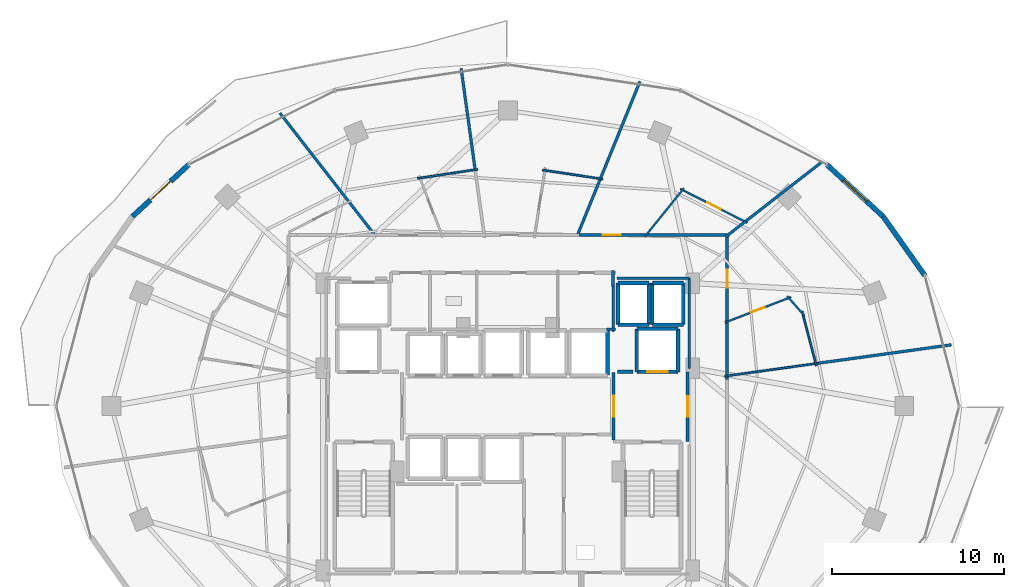
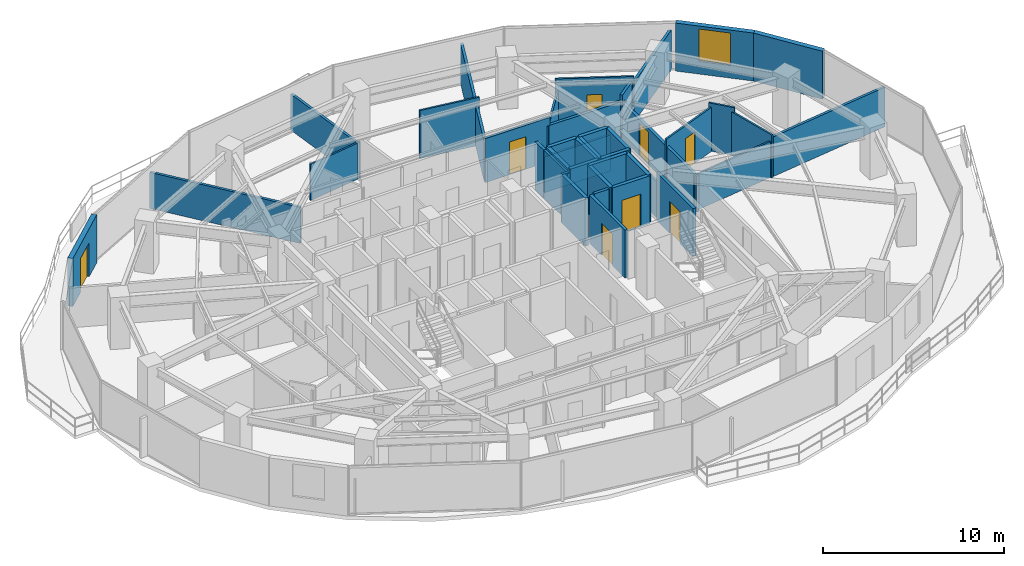
# One storey, part 25 of 30: 42 walls, 8 doors, 1 window, 9 openings.
"""IFC4 building model written with IfcOpenShell, lengths in metres."""

from ifc_helpers import new_model, si_unit, direction, frame, frame_2d, origin, place, context, subcontext, project, spatial, rectangle, extrude, material, layer, layer_set, type_object, element, fill, save


model = new_model("IFC4")

# Units and contexts
model_context = context("Model", 3, precision=1e-05, world=origin(), true_north=direction((0.0, 1.0)))
body_context = subcontext(model_context, "Body", "Model", "MODEL_VIEW")
ifc_project = project(units=[si_unit("LENGTHUNIT", "METRE"), si_unit("AREAUNIT", "SQUARE_METRE"), si_unit("VOLUMEUNIT", "CUBIC_METRE"), si_unit("PLANEANGLEUNIT", "RADIAN"), si_unit("MASSUNIT", "GRAM", prefix="KILO")], contexts=[model_context])

# Site, building, storey
site_placement = place(None, origin())
site = spatial("IfcSite", under=ifc_project, at=site_placement, CompositionType="ELEMENT")
building_placement = place(site_placement, origin())
building = spatial("IfcBuilding", under=site, at=building_placement, Name="Vorneva Point Tower", CompositionType="ELEMENT")
storey_placement = place(building_placement, frame((0.0, 0.0, 89.300048828125)))
storey = spatial("IfcBuildingStorey", under=building, at=storey_placement, Name="L23", CompositionType="ELEMENT", Elevation=89.300048828125)

# Wall, opening, door
ifc_material_1 = material(Name="Concrete B60 (C50/60)", Category="concrete")
ifc_layer_1 = layer(ifc_material_1, 0.5)
ifc_layer_set_1 = layer_set([ifc_layer_1], Name="Concrete B60 (C50/60)")
wall_type_1 = type_object("IfcWallType", Name="WL-CORE-500", PredefinedType="SHEAR", material=ifc_layer_set_1)
wall_1_placement = place(storey_placement, frame((45.5, 28.0, 0.0), z_axis=(0.0, 0.0, 1.0), x_axis=(1.0, 0.0, 0.0)))
wall_1 = element("IfcWall", 1, at=wall_1_placement, inside=storey, type_object=wall_type_1, Name="L23 Lift FFL2 Shaft Wall -Y", PredefinedType="SHEAR", context=body_context, shape_type="SweptSolid", body=[
    extrude(rectangle(XDim=2.39990234375, YDim=0.219970703125, at=frame_2d((1.199951171875, 0.0))), origin(), (0.0, 0.0, 1.0), 3.239990234375),
])
opening_1_placement = place(wall_1_placement, frame((0.60009765625, 0.0, 0.0)))
opening_1 = element("IfcOpeningElement", 2, at=opening_1_placement, cuts=wall_1, Name="Opening LD-02", PredefinedType="OPENING", context=body_context, shape_type="SweptSolid", body=[
    extrude(rectangle(XDim=1.199951171875, YDim=2.199951171875, at=frame_2d((0.60009765625, 1.10009765625))), frame((0.0, 0.125, 0.0), z_axis=(0.0, -1.0, 0.0), x_axis=(1.0, 0.0, 0.0)), (0.0, 0.0, 1.0), 0.249755859375),
])
ifc_material_2 = material(Name="Brushed stainless steel S304", Category="steel")
door_type_1 = type_object("IfcDoorType", Name="LD-FIRE-1200", OperationType="SLIDING_TO_LEFT", PredefinedType="DOOR", material=ifc_material_2)
door_1_placement = place(opening_1_placement, origin())
door_1 = element("IfcDoor", 3, at=door_1_placement, inside=storey, type_object=door_type_1, Name="L23 Lift FFL2 Sliding Landing Door", OperationType="SLIDING_TO_LEFT", OverallHeight=2.199951171875, OverallWidth=1.199951171875, PredefinedType="DOOR", context=body_context, shape_type="SweptSolid", body=[
    extrude(rectangle(XDim=1.199951171875, YDim=2.199951171875, at=frame_2d((0.60009765625, 1.10009765625))), frame((0.0, 0.02490234375, 0.0), z_axis=(0.0, -1.0, 0.0), x_axis=(1.0, 0.0, 0.0)), (0.0, 0.0, 1.0), 0.050048828125),
])
fill(opening_1, door_1)

# Walls
wall_2_placement = place(storey_placement, frame((47.89990234375, 28.0, 0.0), z_axis=(0.0, 0.0, 1.0), x_axis=(0.0, 1.0, 0.0)))
element("IfcWall", 4, at=wall_2_placement, inside=storey, type_object=wall_type_1, Name="L23 Lift FFL2 Shaft Wall +X", PredefinedType="SHEAR", context=body_context, shape_type="SweptSolid", body=[
    extrude(rectangle(XDim=2.5, YDim=0.219970703125, at=frame_2d((1.25, 0.0))), origin(), (0.0, 0.0, 1.0), 3.239990234375),
])
wall_3_placement = place(storey_placement, frame((47.89990234375, 30.5, 0.0), z_axis=(0.0, 0.0, 1.0), x_axis=(-1.0, 0.0, 0.0)))
element("IfcWall", 5, at=wall_3_placement, inside=storey, type_object=wall_type_1, Name="L23 Lift FFL2 Shaft Wall +Y", PredefinedType="SHEAR", context=body_context, shape_type="SweptSolid", body=[
    extrude(rectangle(XDim=2.39990234375, YDim=0.219970703125, at=frame_2d((1.199951171875, 0.0))), origin(), (0.0, 0.0, 1.0), 3.239990234375),
])
wall_4_placement = place(storey_placement, frame((45.5, 30.5, 0.0), z_axis=(0.0, 0.0, 1.0), x_axis=(0.0, -1.0, 0.0)))
element("IfcWall", 6, at=wall_4_placement, inside=storey, type_object=wall_type_1, Name="L23 Lift FFL2 Shaft Wall -X", PredefinedType="SHEAR", context=body_context, shape_type="SweptSolid", body=[
    extrude(rectangle(XDim=2.5, YDim=0.219970703125, at=frame_2d((1.25, 0.0))), origin(), (0.0, 0.0, 1.0), 3.239990234375),
])
ifc_material_3 = material(Name="Precast concrete B50 (C40/50)", Category="concrete")
ifc_layer_2 = layer(ifc_material_3, 0.300048828125)
ifc_layer_set_2 = layer_set([ifc_layer_2], Name="Precast concrete B50 (C40/50)")
wall_type_2 = type_object("IfcWallType", Name="WL-EXT-300", PredefinedType="STANDARD", material=ifc_layer_set_2)
wall_5_placement = place(storey_placement, frame((62.251708984375, 33.59619140625, 0.0), z_axis=(0.0, 0.0, 1.0), x_axis=(-0.57716435238, 0.81662801222, 0.0)))
element("IfcWall", 7, at=wall_5_placement, inside=storey, type_object=wall_type_2, Name="L23 Pale-Metal Facade Spandrel Wall 02.1", PredefinedType="STANDARD", context=body_context, shape_type="SweptSolid", body=[
    extrude(rectangle(XDim=4.202392578125, YDim=0.300048828125, at=frame_2d((2.10107421875, 0.0))), origin(), (0.0, 0.0, 1.0), 3.239990234375),
])

# Wall, opening, window
wall_6_placement = place(storey_placement, frame((59.826171875, 37.028076171875, 0.0), z_axis=(0.0, 0.0, 1.0), x_axis=(-0.735416718093, 0.677615119924, 0.0)))
wall_6 = element("IfcWall", 8, at=wall_6_placement, inside=storey, type_object=wall_type_2, Name="L23 Pale-Metal Facade Spandrel Wall 02.2", PredefinedType="STANDARD", context=body_context, shape_type="SweptSolid", body=[
    extrude(rectangle(XDim=4.439208984375, YDim=0.300048828125, at=frame_2d((2.2197265625, 0.0))), origin(), (0.0, 0.0, 1.0), 3.239990234375),
])
opening_2_placement = place(wall_6_placement, frame((1.319580078125, 0.0, 0.85009765625)))
opening_2 = element("IfcOpeningElement", 9, at=opening_2_placement, cuts=wall_6, Name="Opening W-01", PredefinedType="OPENING", context=body_context, shape_type="SweptSolid", body=[
    extrude(rectangle(XDim=1.800048828125, YDim=2.18994140625, at=frame_2d((0.89990234375, 1.094970703125))), frame((0.0, 0.1650390625, 0.0), z_axis=(0.0, -1.0, 0.0), x_axis=(1.0, 0.0, 0.0)), (0.0, 0.0, 1.0), 0.329833984375),
])
ifc_material_4 = material(Name="Double low-e laminated glass IGU", Category="glass")
window_type = type_object("IfcWindowType", Name="WN-LOG-1800", PartitioningType="SINGLE_PANEL", PredefinedType="WINDOW", material=ifc_material_4)
window_placement = place(opening_2_placement, origin())
window = element("IfcWindow", 10, at=window_placement, inside=storey, type_object=window_type, Name="L23 Facade Window 02", OverallHeight=2.18994140625, OverallWidth=1.800048828125, PartitioningType="SINGLE_PANEL", PredefinedType="WINDOW", context=body_context, shape_type="SweptSolid", body=[
    extrude(rectangle(XDim=1.800048828125, YDim=2.18994140625, at=frame_2d((0.89990234375, 1.094970703125))), frame((0.0, 0.030029296875, 0.0), z_axis=(0.0, -1.0, 0.0), x_axis=(1.0, 0.0, 0.0)), (0.0, 0.0, 1.0), 0.06005859375),
])
fill(opening_2, window)

# Wall, opening, door
wall_7_placement = place(storey_placement, frame((19.4384765625, 40.0361328125, 0.0), z_axis=(0.0, 0.0, 1.0), x_axis=(-0.735416718093, -0.677615119924, 0.0)))
wall_7 = element("IfcWall", 11, at=wall_7_placement, inside=storey, type_object=wall_type_2, Name="L23 Pale-Metal Facade Spandrel Wall 07.1", PredefinedType="STANDARD", context=body_context, shape_type="SweptSolid", body=[
    extrude(rectangle(XDim=4.439208984375, YDim=0.300048828125, at=frame_2d((2.2197265625, 0.0))), origin(), (0.0, 0.0, 1.0), 3.239990234375),
])
opening_3_placement = place(wall_7_placement, frame((1.41943359375, 0.0, 0.0)))
opening_3 = element("IfcOpeningElement", 12, at=opening_3_placement, cuts=wall_7, Name="Opening BD-01", PredefinedType="OPENING", context=body_context, shape_type="SweptSolid", body=[
    extrude(rectangle(XDim=1.60009765625, YDim=2.300048828125, at=frame_2d((0.800048828125, 1.14990234375))), frame((0.0, 0.1650390625, 0.0), z_axis=(0.0, -1.0, 0.0), x_axis=(1.0, 0.0, 0.0)), (0.0, 0.0, 1.0), 0.329833984375),
])
ifc_material_5 = material(Name="Pale anodised aluminium", Category="aluminium")
door_type_2 = type_object("IfcDoorType", Name="DR-BAL-1600", OperationType="SLIDING_TO_LEFT", PredefinedType="DOOR", material=ifc_material_5)
door_2_placement = place(opening_3_placement, origin())
door_2 = element("IfcDoor", 13, at=door_2_placement, inside=storey, type_object=door_type_2, Name="L23 Balcony Terrace Access Door 07", OperationType="SLIDING_TO_LEFT", OverallHeight=2.300048828125, OverallWidth=1.60009765625, PredefinedType="DOOR", context=body_context, shape_type="SweptSolid", body=[
    extrude(rectangle(XDim=1.60009765625, YDim=2.300048828125, at=frame_2d((0.800048828125, 1.14990234375))), frame((0.0, 0.02490234375, 0.0), z_axis=(0.0, -1.0, 0.0), x_axis=(1.0, 0.0, 0.0)), (0.0, 0.0, 1.0), 0.050048828125),
])
fill(opening_3, door_2)

# Walls
ifc_material_6 = material(Name="Fire-rated acoustic gypsum stud partition", Category="gypsum")
ifc_layer_3 = layer(ifc_material_6, 0.110107421875)
ifc_layer_set_3 = layer_set([ifc_layer_3], Name="Fire-rated acoustic gypsum stud partition")
wall_type_3 = type_object("IfcWallType", Name="WL-PART-110", PredefinedType="PARTITIONING", material=ifc_layer_set_3)
wall_8_placement = place(storey_placement, frame((54.240234375, 32.39794921875, 0.0), z_axis=(0.0, 0.0, 1.0), x_axis=(0.661931735756, -0.749564124808, 0.0)))
element("IfcWall", 14, at=wall_8_placement, inside=storey, type_object=wall_type_3, Name="L23 Interior Partition 051", PredefinedType="PARTITIONING", context=body_context, shape_type="SweptSolid", body=[
    extrude(rectangle(XDim=1.510009765625, YDim=0.110107421875, at=frame_2d((0.7548828125, 0.0))), origin(), (0.0, 0.0, 1.0), 3.239990234375),
])
wall_9_placement = place(storey_placement, frame((55.111328125, 31.50634765625, 0.0), z_axis=(0.0, 0.0, 1.0), x_axis=(0.254405137241, -0.967097733502, 0.0)))
element("IfcWall", 15, at=wall_9_placement, inside=storey, type_object=wall_type_3, Name="L23 Interior Partition 052", PredefinedType="PARTITIONING", context=body_context, shape_type="SweptSolid", body=[
    extrude(rectangle(XDim=3.271484375, YDim=0.110107421875, at=frame_2d((1.6357421875, 0.0))), origin(), (0.0, 0.0, 1.0), 2.921875),
])
wall_10_placement = place(storey_placement, frame((56.046630859375, 28.497314453125, 0.0), z_axis=(0.0, 0.0, 1.0), x_axis=(-0.990553307294, -0.137128207927, 0.0)))
element("IfcWall", 16, at=wall_10_placement, inside=storey, type_object=wall_type_3, Name="L23 Interior Partition 053", PredefinedType="PARTITIONING", context=body_context, shape_type="SweptSolid", body=[
    extrude(rectangle(XDim=5.487060546875, YDim=0.110107421875, at=frame_2d((2.74365234375, 0.0))), origin(), (0.0, 0.0, 1.0), 2.431884765625),
])

# Wall, opening, door
wall_11_placement = place(storey_placement, frame((50.619384765625, 30.86279296875, 0.0), z_axis=(0.0, 0.0, 1.0), x_axis=(0.933189718051, 0.359384126144, 0.0)))
wall_11 = element("IfcWall", 17, at=wall_11_placement, inside=storey, type_object=wall_type_3, Name="L23 Interior Partition 054", PredefinedType="PARTITIONING", context=body_context, shape_type="SweptSolid", body=[
    extrude(rectangle(XDim=4.119384765625, YDim=0.110107421875, at=frame_2d((2.0595703125, 0.0))), origin(), (0.0, 0.0, 1.0), 2.971923828125),
])
opening_4_placement = place(wall_11_placement, frame((1.634765625, 0.0, 0.0)))
opening_4 = element("IfcOpeningElement", 18, at=opening_4_placement, cuts=wall_11, Name="Opening ID-02", PredefinedType="OPENING", context=body_context, shape_type="SweptSolid", body=[
    extrude(rectangle(XDim=0.85009765625, YDim=2.10009765625, at=frame_2d((0.425048828125, 1.050048828125))), frame((0.0, 0.06982421875, 0.0), z_axis=(0.0, -1.0, 0.0), x_axis=(1.0, 0.0, 0.0)), (0.0, 0.0, 1.0), 0.139892578125),
])
ifc_material_7 = material(Name="Engineered oak fire-rated door leaf", Category="wood")
door_type_3 = type_object("IfcDoorType", Name="DR-BATH-850", OperationType="NOTDEFINED", PredefinedType="DOOR", material=ifc_material_7)
door_3_placement = place(opening_4_placement, origin())
door_3 = element("IfcDoor", 19, at=door_3_placement, inside=storey, type_object=door_type_3, Name="L23 Door Junior Suite L23-01 / En-Suite Bathroom L23-01", OperationType="SINGLE_SWING_LEFT", OverallHeight=2.10009765625, OverallWidth=0.85009765625, PredefinedType="DOOR", context=body_context, shape_type="SweptSolid", body=[
    extrude(rectangle(XDim=0.85009765625, YDim=2.10009765625, at=frame_2d((0.425048828125, 1.050048828125))), frame((0.0, 0.02490234375, 0.0), z_axis=(0.0, -1.0, 0.0), x_axis=(1.0, 0.0, 0.0)), (0.0, 0.0, 1.0), 0.050048828125),
])
fill(opening_4, door_3)

# Wall
wall_12_placement = place(storey_placement, frame((45.950927734375, 35.841064453125, 0.0), z_axis=(0.0, 0.0, 1.0), x_axis=(0.628411924203, 0.77788074505, 0.0)))
element("IfcWall", 20, at=wall_12_placement, inside=storey, type_object=wall_type_3, Name="L23 Interior Partition 058", PredefinedType="PARTITIONING", context=body_context, shape_type="SweptSolid", body=[
    extrude(rectangle(XDim=3.645751953125, YDim=0.110107421875, at=frame_2d((1.82275390625, 0.0))), origin(), (0.0, 0.0, 1.0), 2.431884765625),
])

# Wall, opening, door
wall_13_placement = place(storey_placement, frame((48.029052734375, 38.631103515625, 0.0), z_axis=(0.0, 0.0, 1.0), x_axis=(0.892459125519, -0.451128262558, 0.0)))
wall_13 = element("IfcWall", 21, at=wall_13_placement, inside=storey, type_object=wall_type_3, Name="L23 Interior Partition 059", PredefinedType="PARTITIONING", context=body_context, shape_type="SweptSolid", body=[
    extrude(rectangle(XDim=4.36083984375, YDim=0.110107421875, at=frame_2d((2.180419921875, 0.0))), origin(), (0.0, 0.0, 1.0), 3.239990234375),
])
opening_5_placement = place(wall_13_placement, frame((1.75537109375, 0.0, 0.0)))
opening_5 = element("IfcOpeningElement", 22, at=opening_5_placement, cuts=wall_13, Name="Opening ID-02", PredefinedType="OPENING", context=body_context, shape_type="SweptSolid", body=[
    extrude(rectangle(XDim=0.85009765625, YDim=2.10009765625, at=frame_2d((0.425048828125, 1.050048828125))), frame((0.0, 0.06982421875, 0.0), z_axis=(0.0, -1.0, 0.0), x_axis=(1.0, 0.0, 0.0)), (0.0, 0.0, 1.0), 0.139892578125),
])
door_4_placement = place(opening_5_placement, origin())
door_4 = element("IfcDoor", 23, at=door_4_placement, inside=storey, type_object=door_type_3, Name="L23 Door Executive Suite L23-02 / En-Suite Bathroom L23-02", OperationType="SINGLE_SWING_RIGHT", OverallHeight=2.10009765625, OverallWidth=0.85009765625, PredefinedType="DOOR", context=body_context, shape_type="SweptSolid", body=[
    extrude(rectangle(XDim=0.85009765625, YDim=2.10009765625, at=frame_2d((0.425048828125, 1.050048828125))), frame((0.0, 0.02490234375, 0.0), z_axis=(0.0, -1.0, 0.0), x_axis=(1.0, 0.0, 0.0)), (0.0, 0.0, 1.0), 0.050048828125),
])
fill(opening_5, door_4)

# Walls
wall_14_placement = place(storey_placement, frame((40.0166015625, 39.73291015625, 0.0), z_axis=(0.0, 0.0, 1.0), x_axis=(0.988835521732, -0.149011110196, 0.0)))
element("IfcWall", 24, at=wall_14_placement, inside=storey, type_object=wall_type_3, Name="L23 Interior Partition 061", PredefinedType="PARTITIONING", context=body_context, shape_type="SweptSolid", body=[
    extrude(rectangle(XDim=3.542236328125, YDim=0.110107421875, at=frame_2d((1.77099609375, 0.0))), origin(), (0.0, 0.0, 1.0), 3.239990234375),
])
wall_15_placement = place(storey_placement, frame((32.74951171875, 39.24609375, 0.0), z_axis=(0.0, 0.0, 1.0), x_axis=(0.988874324222, 0.148753389525, 0.0)))
element("IfcWall", 25, at=wall_15_placement, inside=storey, type_object=wall_type_3, Name="L23 Interior Partition 066", PredefinedType="PARTITIONING", context=body_context, shape_type="SweptSolid", body=[
    extrude(rectangle(XDim=3.527099609375, YDim=0.110107421875, at=frame_2d((1.763671875, 0.0))), origin(), (0.0, 0.0, 1.0), 2.431884765625),
])
ifc_layer_4 = layer(ifc_material_6, 0.139892578125)
ifc_layer_set_4 = layer_set([ifc_layer_4], Name="Fire-rated acoustic gypsum stud partition")
wall_type_4 = type_object("IfcWallType", Name="WL-PART-140", PredefinedType="PARTITIONING", material=ifc_layer_set_4)
wall_16_placement = place(storey_placement, frame((43.735107421875, 30.47998046875, 0.0), z_axis=(0.0, 0.0, 1.0), x_axis=(1.0, 0.0, 0.0)))
element("IfcWall", 26, at=wall_16_placement, inside=storey, type_object=wall_type_4, Name="L23 Interior Closure Partition 093", PredefinedType="PARTITIONING", context=body_context, shape_type="SweptSolid", body=[
    extrude(rectangle(XDim=0.52490234375, YDim=0.139892578125, at=frame_2d((0.262451171875, 0.0))), origin(), (0.0, 0.0, 1.0), 3.239990234375),
])
wall_17_placement = place(storey_placement, frame((44.1201171875, 30.340087890625, 0.0), z_axis=(0.0, 0.0, 1.0), x_axis=(0.0, 1.0, 0.0)))
element("IfcWall", 27, at=wall_17_placement, inside=storey, type_object=wall_type_4, Name="L23 Interior Closure Partition 094", PredefinedType="PARTITIONING", context=body_context, shape_type="SweptSolid", body=[
    extrude(rectangle(XDim=2.659912109375, YDim=0.139892578125, at=frame_2d((1.330078125, 0.0))), origin(), (0.0, 0.0, 1.0), 3.239990234375),
])
wall_18_placement = place(storey_placement, frame((44.340087890625, 33.449951171875, 0.0), z_axis=(0.0, 0.0, 1.0), x_axis=(1.0, 0.0, 0.0)))
element("IfcWall", 28, at=wall_18_placement, inside=storey, type_object=wall_type_4, Name="L23 Interior Closure Partition 097", PredefinedType="PARTITIONING", context=body_context, shape_type="SweptSolid", body=[
    extrude(rectangle(XDim=4.2099609375, YDim=0.139892578125, at=frame_2d((2.10498046875, 0.0))), origin(), (0.0, 0.0, 1.0), 2.431884765625),
])
wall_19_placement = place(storey_placement, frame((48.550048828125, 33.449951171875, 0.0), z_axis=(0.0, 0.0, 1.0), x_axis=(0.0, -1.0, 0.0)))
element("IfcWall", 29, at=wall_19_placement, inside=storey, type_object=wall_type_4, Name="L23 Interior Closure Partition 098", PredefinedType="PARTITIONING", context=body_context, shape_type="SweptSolid", body=[
    extrude(rectangle(XDim=5.25390625, YDim=0.139892578125, at=frame_2d((2.626953125, 0.0))), origin(), (0.0, 0.0, 1.0), 2.431884765625),
])
ifc_layer_5 = layer(ifc_material_6, 0.159912109375)
ifc_layer_set_5 = layer_set([ifc_layer_5], Name="Fire-rated acoustic gypsum stud partition")
wall_type_5 = type_object("IfcWallType", Name="WL-PART-160", PredefinedType="PARTITIONING", material=ifc_layer_set_5)
wall_20_placement = place(storey_placement, frame((56.27490234375, 40.2099609375, 0.0), z_axis=(0.0, 0.0, 1.0), x_axis=(-0.78943235806, -0.613837561614, 0.0)))
element("IfcWall", 30, at=wall_20_placement, inside=storey, type_object=wall_type_5, Name="L23 Interior Partition 055", PredefinedType="PARTITIONING", context=body_context, shape_type="SweptSolid", body=[
    extrude(rectangle(XDim=5.74072265625, YDim=0.159912109375, at=frame_2d((2.870361328125, 0.0))), origin(), (0.0, 0.0, 1.0), 2.677001953125),
])
wall_21_placement = place(storey_placement, frame((51.853515625, 36.772216796875, 0.0), z_axis=(0.0, 0.0, 1.0), x_axis=(-0.789420593357, -0.613852691436, 0.0)))
element("IfcWall", 31, at=wall_21_placement, inside=storey, type_object=wall_type_5, Name="L23 Interior Partition 056", PredefinedType="PARTITIONING", context=body_context, shape_type="SweptSolid", body=[
    extrude(rectangle(XDim=1.5380859375, YDim=0.159912109375, at=frame_2d((0.76904296875, 0.0))), origin(), (0.0, 0.0, 1.0), 2.921875),
])
wall_22_placement = place(storey_placement, frame((56.046875, 28.49658203125, 0.0), z_axis=(0.0, 0.0, 1.0), x_axis=(0.990569127114, 0.137013883997, 0.0)))
element("IfcWall", 32, at=wall_22_placement, inside=storey, type_object=wall_type_5, Name="L23 Interior Partition 057", PredefinedType="PARTITIONING", context=body_context, shape_type="SweptSolid", body=[
    extrude(rectangle(XDim=7.811767578125, YDim=0.159912109375, at=frame_2d((3.90576171875, 0.0))), origin(), (0.0, 0.0, 1.0), 2.677001953125),
])
wall_23_placement = place(storey_placement, frame((45.681884765625, 44.8798828125, 0.0), z_axis=(0.0, 0.0, 1.0), x_axis=(-0.376911553655, -0.9262492541, 0.0)))
element("IfcWall", 33, at=wall_23_placement, inside=storey, type_object=wall_type_5, Name="L23 Interior Partition 060", PredefinedType="PARTITIONING", context=body_context, shape_type="SweptSolid", body=[
    extrude(rectangle(XDim=9.640869140625, YDim=0.159912109375, at=frame_2d((4.8203125, 0.0))), origin(), (0.0, 0.0, 1.0), 2.677001953125),
])
wall_24_placement = place(storey_placement, frame((35.282958984375, 45.64697265625, 0.0), z_axis=(0.0, 0.0, 1.0), x_axis=(0.137015172239, -0.990568948926, 0.0)))
element("IfcWall", 34, at=wall_24_placement, inside=storey, type_object=wall_type_5, Name="L23 Interior Partition 063", PredefinedType="PARTITIONING", context=body_context, shape_type="SweptSolid", body=[
    extrude(rectangle(XDim=6.013671875, YDim=0.159912109375, at=frame_2d((3.0068359375, 0.0))), origin(), (0.0, 0.0, 1.0), 2.431884765625),
])
wall_25_placement = place(storey_placement, frame((24.7490234375, 43.041015625, 0.0), z_axis=(0.0, 0.0, 1.0), x_axis=(0.61384652665, -0.789425387051, 0.0)))
element("IfcWall", 35, at=wall_25_placement, inside=storey, type_object=wall_type_5, Name="L23 Interior Partition 067", PredefinedType="PARTITIONING", context=body_context, shape_type="SweptSolid", body=[
    extrude(rectangle(XDim=8.982666015625, YDim=0.159912109375, at=frame_2d((4.4912109375, 0.0))), origin(), (0.0, 0.0, 1.0), 2.431884765625),
])

# Wall, opening, door
ifc_material_8 = material(Name="Autoclaved aerated concrete blockwork", Category="masonry")
ifc_layer_6 = layer(ifc_material_8, 0.179931640625)
ifc_layer_set_6 = layer_set([ifc_layer_6], Name="Autoclaved aerated concrete blockwork")
wall_type_6 = type_object("IfcWallType", Name="WL-PART-180", PredefinedType="PARTITIONING", material=ifc_layer_set_6)
wall_26_placement = place(storey_placement, frame((44.14990234375, 27.955078125, 0.0), z_axis=(0.0, 0.0, 1.0), x_axis=(0.0, -1.0, 0.0)))
wall_26 = element("IfcWall", 36, at=wall_26_placement, inside=storey, type_object=wall_type_6, Name="L23 Interior Partition 003", PredefinedType="PARTITIONING", context=body_context, shape_type="SweptSolid", body=[
    extrude(rectangle(XDim=3.91015625, YDim=0.179931640625, at=frame_2d((1.955078125, 0.0))), origin(), (0.0, 0.0, 1.0), 3.239990234375),
])
opening_6_placement = place(wall_26_placement, frame((1.35498046875, 0.0, 0.0)))
opening_6 = element("IfcOpeningElement", 37, at=opening_6_placement, cuts=wall_26, Name="Opening FD-02", PredefinedType="OPENING", context=body_context, shape_type="SweptSolid", body=[
    extrude(rectangle(XDim=1.199951171875, YDim=2.14990234375, at=frame_2d((0.60009765625, 1.074951171875))), frame((0.0, 0.10498046875, 0.0), z_axis=(0.0, -1.0, 0.0), x_axis=(1.0, 0.0, 0.0)), (0.0, 0.0, 1.0), 0.209716796875),
])
ifc_material_9 = material(Name="Fire-rated powder-coated steel", Category="steel")
door_type_4 = type_object("IfcDoorType", Name="DR-FFL-1200", OperationType="NOTDEFINED", PredefinedType="DOOR", material=ifc_material_9)
door_5_placement = place(opening_6_placement, origin())
door_5 = element("IfcDoor", 38, at=door_5_placement, inside=storey, type_object=door_type_4, Name="L23 Door East Firefighting Lobby / Central Lift Lobby", OperationType="SINGLE_SWING_LEFT", OverallHeight=2.14990234375, OverallWidth=1.199951171875, PredefinedType="DOOR", context=body_context, shape_type="SweptSolid", body=[
    extrude(rectangle(XDim=1.199951171875, YDim=2.14990234375, at=frame_2d((0.60009765625, 1.074951171875))), frame((0.0, 0.02490234375, 0.0), z_axis=(0.0, -1.0, 0.0), x_axis=(1.0, 0.0, 0.0)), (0.0, 0.0, 1.0), 0.050048828125),
])
fill(opening_6, door_5)

wall_27_placement = place(storey_placement, frame((48.449951171875, 23.949951171875, 0.0), z_axis=(0.0, 0.0, 1.0), x_axis=(0.0, 1.0, 0.0)))
wall_27 = element("IfcWall", 39, at=wall_27_placement, inside=storey, type_object=wall_type_6, Name="L23 Interior Partition 005", PredefinedType="PARTITIONING", context=body_context, shape_type="SweptSolid", body=[
    extrude(rectangle(XDim=4.050048828125, YDim=0.179931640625, at=frame_2d((2.02490234375, 0.0))), origin(), (0.0, 0.0, 1.0), 3.239990234375),
])
opening_7_placement = place(wall_27_placement, frame((1.425048828125, 0.0, 0.0)))
opening_7 = element("IfcOpeningElement", 40, at=opening_7_placement, cuts=wall_27, Name="Opening FD-02", PredefinedType="OPENING", context=body_context, shape_type="SweptSolid", body=[
    extrude(rectangle(XDim=1.199951171875, YDim=2.14990234375, at=frame_2d((0.60009765625, 1.074951171875))), frame((0.0, 0.10498046875, 0.0), z_axis=(0.0, -1.0, 0.0), x_axis=(1.0, 0.0, 0.0)), (0.0, 0.0, 1.0), 0.209716796875),
])
door_6_placement = place(opening_7_placement, origin())
door_6 = element("IfcDoor", 41, at=door_6_placement, inside=storey, type_object=door_type_4, Name="L23 Door East Firefighting Lobby / L23 Circulation Corridor", OperationType="SINGLE_SWING_LEFT", OverallHeight=2.14990234375, OverallWidth=1.199951171875, PredefinedType="DOOR", context=body_context, shape_type="SweptSolid", body=[
    extrude(rectangle(XDim=1.199951171875, YDim=2.14990234375, at=frame_2d((0.60009765625, 1.074951171875))), frame((0.0, 0.02490234375, 0.0), z_axis=(0.0, -1.0, 0.0), x_axis=(1.0, 0.0, 0.0)), (0.0, 0.0, 1.0), 0.050048828125),
])
fill(opening_7, door_6)

# Wall
wall_28_placement = place(storey_placement, frame((44.1201171875, 32.969970703125, 0.0), z_axis=(0.0, 0.0, 1.0), x_axis=(0.0, 1.0, 0.0)))
element("IfcWall", 42, at=wall_28_placement, inside=storey, type_object=wall_type_6, Name="L23 Interior Partition 020", PredefinedType="PARTITIONING", context=body_context, shape_type="SweptSolid", body=[
    extrude(rectangle(XDim=0.929931640625, YDim=0.179931640625, at=frame_2d((0.46484375, 0.0))), origin(), (0.0, 0.0, 1.0), 3.239990234375),
])

# Wall, opening, door
wall_29_placement = place(storey_placement, frame((50.75, 30.85302734375, 0.0), z_axis=(0.0, 0.0, 1.0), x_axis=(0.0, 1.0, 0.0)))
wall_29 = element("IfcWall", 43, at=wall_29_placement, inside=storey, type_object=wall_type_6, Name="L23 Interior Partition 024", PredefinedType="PARTITIONING", context=body_context, shape_type="SweptSolid", body=[
    extrude(rectangle(XDim=5.096923828125, YDim=0.179931640625, at=frame_2d((2.54833984375, 0.0))), origin(), (0.0, 0.0, 1.0), 2.431884765625),
])
opening_8_placement = place(wall_29_placement, frame((2.0234375, 0.0, 0.0)))
opening_8 = element("IfcOpeningElement", 44, at=opening_8_placement, cuts=wall_29, Name="Opening UD-02", PredefinedType="OPENING", context=body_context, shape_type="SweptSolid", body=[
    extrude(rectangle(XDim=1.050048828125, YDim=2.199951171875, at=frame_2d((0.52490234375, 1.10009765625))), frame((0.0, 0.10498046875, 0.0), z_axis=(0.0, -1.0, 0.0), x_axis=(1.0, 0.0, 0.0)), (0.0, 0.0, 1.0), 0.209716796875),
])
door_type_5 = type_object("IfcDoorType", Name="DR-SUITE-1050", OperationType="NOTDEFINED", PredefinedType="DOOR", material=ifc_material_7)
door_7_placement = place(opening_8_placement, origin())
door_7 = element("IfcDoor", 45, at=door_7_placement, inside=storey, type_object=door_type_5, Name="L23 Door L23 Circulation Corridor / Junior Suite L23-01", OperationType="SINGLE_SWING_LEFT", OverallHeight=2.199951171875, OverallWidth=1.050048828125, PredefinedType="DOOR", context=body_context, shape_type="SweptSolid", body=[
    extrude(rectangle(XDim=1.050048828125, YDim=2.199951171875, at=frame_2d((0.52490234375, 1.10009765625))), frame((0.0, 0.02490234375, 0.0), z_axis=(0.0, -1.0, 0.0), x_axis=(1.0, 0.0, 0.0)), (0.0, 0.0, 1.0), 0.050048828125),
])
fill(opening_8, door_7)

# Wall
wall_30_placement = place(storey_placement, frame((50.75, 27.56396484375, 0.0), z_axis=(0.0, 0.0, 1.0), x_axis=(0.0, 1.0, 0.0)))
element("IfcWall", 46, at=wall_30_placement, inside=storey, type_object=wall_type_6, Name="L23 Interior Partition 025", PredefinedType="PARTITIONING", context=body_context, shape_type="SweptSolid", body=[
    extrude(rectangle(XDim=3.428955078125, YDim=0.179931640625, at=frame_2d((1.71435546875, 0.0))), origin(), (0.0, 0.0, 1.0), 2.431884765625),
])

# Wall, opening, door
wall_31_placement = place(storey_placement, frame((46.115966796875, 35.949951171875, 0.0), z_axis=(0.0, 0.0, 1.0), x_axis=(-1.0, 0.0, 0.0)))
wall_31 = element("IfcWall", 47, at=wall_31_placement, inside=storey, type_object=wall_type_6, Name="L23 Interior Partition 026", PredefinedType="PARTITIONING", context=body_context, shape_type="SweptSolid", body=[
    extrude(rectangle(XDim=4.1279296875, YDim=0.179931640625, at=frame_2d((2.06396484375, 0.0))), origin(), (0.0, 0.0, 1.0), 2.971923828125),
])
opening_9_placement = place(wall_31_placement, frame((1.5390625, 0.0, 0.0)))
opening_9 = element("IfcOpeningElement", 48, at=opening_9_placement, cuts=wall_31, Name="Opening UD-02", PredefinedType="OPENING", context=body_context, shape_type="SweptSolid", body=[
    extrude(rectangle(XDim=1.050048828125, YDim=2.199951171875, at=frame_2d((0.52490234375, 1.10009765625))), frame((0.0, 0.10498046875, 0.0), z_axis=(0.0, -1.0, 0.0), x_axis=(1.0, 0.0, 0.0)), (0.0, 0.0, 1.0), 0.209716796875),
])
door_8_placement = place(opening_9_placement, origin())
door_8 = element("IfcDoor", 49, at=door_8_placement, inside=storey, type_object=door_type_5, Name="L23 Door L23 Circulation Corridor / Executive Suite L23-02", OperationType="SINGLE_SWING_RIGHT", OverallHeight=2.199951171875, OverallWidth=1.050048828125, PredefinedType="DOOR", context=body_context, shape_type="SweptSolid", body=[
    extrude(rectangle(XDim=1.050048828125, YDim=2.199951171875, at=frame_2d((0.52490234375, 1.10009765625))), frame((0.0, 0.02490234375, 0.0), z_axis=(0.0, -1.0, 0.0), x_axis=(1.0, 0.0, 0.0)), (0.0, 0.0, 1.0), 0.050048828125),
])
fill(opening_9, door_8)

# Walls
wall_32_placement = place(storey_placement, frame((50.889892578125, 35.949951171875, 0.0), z_axis=(0.0, 0.0, 1.0), x_axis=(-1.0, 0.0, 0.0)))
element("IfcWall", 50, at=wall_32_placement, inside=storey, type_object=wall_type_6, Name="L23 Interior Partition 027", PredefinedType="PARTITIONING", context=body_context, shape_type="SweptSolid", body=[
    extrude(rectangle(XDim=4.913818359375, YDim=0.179931640625, at=frame_2d((2.45703125, 0.0))), origin(), (0.0, 0.0, 1.0), 2.431884765625),
])
wall_33_placement = place(storey_placement, frame((45.280029296875, 28.0, 0.0), z_axis=(0.0, 0.0, 1.0), x_axis=(-1.0, 0.0, 0.0)))
element("IfcWall", 51, at=wall_33_placement, inside=storey, type_object=wall_type_6, Name="L23 Interior Closure Partition 089", PredefinedType="PARTITIONING", context=body_context, shape_type="SweptSolid", body=[
    extrude(rectangle(XDim=0.9150390625, YDim=0.179931640625, at=frame_2d((0.45751953125, 0.0))), origin(), (0.0, 0.0, 1.0), 3.239990234375),
])
ifc_material_10 = material(Name="Concrete B50 (C40/50)", Category="concrete")
ifc_layer_7 = layer(ifc_material_10, 0.219970703125)
ifc_layer_set_7 = layer_set([ifc_layer_7], Name="Concrete B50 (C40/50)")
wall_type_7 = type_object("IfcWallType", Name="WL-SHFT-220", PredefinedType="SOLIDWALL", material=ifc_layer_set_7)
wall_34_placement = place(storey_placement, frame((43.800048828125, 27.800048828125, 0.0), z_axis=(0.0, 0.0, 1.0), x_axis=(0.0, 1.0, 0.0)))
element("IfcWall", 52, at=wall_34_placement, inside=storey, type_object=wall_type_7, Name="L23 Lift PL8 Shaft Wall +X", PredefinedType="SOLIDWALL", context=body_context, shape_type="SweptSolid", body=[
    extrude(rectangle(XDim=2.599853515625, YDim=0.219970703125, at=frame_2d((1.2998046875, 0.0))), origin(), (0.0, 0.0, 1.0), 3.239990234375),
])
wall_35_placement = place(storey_placement, frame((44.39990234375, 30.739990234375, 0.0), z_axis=(0.0, 0.0, 1.0), x_axis=(1.0, 0.0, 0.0)))
element("IfcWall", 53, at=wall_35_placement, inside=storey, type_object=wall_type_7, Name="L23 Lift EX1 Shaft Wall -Y", PredefinedType="SOLIDWALL", context=body_context, shape_type="SweptSolid", body=[
    extrude(rectangle(XDim=1.800048828125, YDim=0.219970703125, at=frame_2d((0.89990234375, 0.0))), origin(), (0.0, 0.0, 1.0), 3.239990234375),
])
wall_36_placement = place(storey_placement, frame((46.199951171875, 30.739990234375, 0.0), z_axis=(0.0, 0.0, 1.0), x_axis=(0.0, 1.0, 0.0)))
element("IfcWall", 54, at=wall_36_placement, inside=storey, type_object=wall_type_7, Name="L23 Lift EX1 Shaft Wall +X", PredefinedType="SOLIDWALL", context=body_context, shape_type="SweptSolid", body=[
    extrude(rectangle(XDim=2.419921875, YDim=0.219970703125, at=frame_2d((1.2099609375, 0.0))), origin(), (0.0, 0.0, 1.0), 3.239990234375),
])
wall_37_placement = place(storey_placement, frame((46.199951171875, 33.159912109375, 0.0), z_axis=(0.0, 0.0, 1.0), x_axis=(-1.0, 0.0, 0.0)))
element("IfcWall", 55, at=wall_37_placement, inside=storey, type_object=wall_type_7, Name="L23 Lift EX1 Shaft Wall +Y", PredefinedType="SOLIDWALL", context=body_context, shape_type="SweptSolid", body=[
    extrude(rectangle(XDim=1.800048828125, YDim=0.219970703125, at=frame_2d((0.89990234375, 0.0))), origin(), (0.0, 0.0, 1.0), 3.239990234375),
])
wall_38_placement = place(storey_placement, frame((44.39990234375, 33.159912109375, 0.0), z_axis=(0.0, 0.0, 1.0), x_axis=(0.0, -1.0, 0.0)))
element("IfcWall", 56, at=wall_38_placement, inside=storey, type_object=wall_type_7, Name="L23 Lift EX1 Shaft Wall -X", PredefinedType="SOLIDWALL", context=body_context, shape_type="SweptSolid", body=[
    extrude(rectangle(XDim=2.419921875, YDim=0.219970703125, at=frame_2d((1.2099609375, 0.0))), origin(), (0.0, 0.0, 1.0), 3.239990234375),
])
wall_39_placement = place(storey_placement, frame((46.39990234375, 30.739990234375, 0.0), z_axis=(0.0, 0.0, 1.0), x_axis=(1.0, 0.0, 0.0)))
element("IfcWall", 57, at=wall_39_placement, inside=storey, type_object=wall_type_7, Name="L23 Lift EX2 Shaft Wall -Y", PredefinedType="SOLIDWALL", context=body_context, shape_type="SweptSolid", body=[
    extrude(rectangle(XDim=1.800048828125, YDim=0.219970703125, at=frame_2d((0.89990234375, 0.0))), origin(), (0.0, 0.0, 1.0), 3.239990234375),
])
wall_40_placement = place(storey_placement, frame((48.199951171875, 30.739990234375, 0.0), z_axis=(0.0, 0.0, 1.0), x_axis=(0.0, 1.0, 0.0)))
element("IfcWall", 58, at=wall_40_placement, inside=storey, type_object=wall_type_7, Name="L23 Lift EX2 Shaft Wall +X", PredefinedType="SOLIDWALL", context=body_context, shape_type="SweptSolid", body=[
    extrude(rectangle(XDim=2.419921875, YDim=0.219970703125, at=frame_2d((1.2099609375, 0.0))), origin(), (0.0, 0.0, 1.0), 3.239990234375),
])
wall_41_placement = place(storey_placement, frame((48.199951171875, 33.159912109375, 0.0), z_axis=(0.0, 0.0, 1.0), x_axis=(-1.0, 0.0, 0.0)))
element("IfcWall", 59, at=wall_41_placement, inside=storey, type_object=wall_type_7, Name="L23 Lift EX2 Shaft Wall +Y", PredefinedType="SOLIDWALL", context=body_context, shape_type="SweptSolid", body=[
    extrude(rectangle(XDim=1.800048828125, YDim=0.219970703125, at=frame_2d((0.89990234375, 0.0))), origin(), (0.0, 0.0, 1.0), 3.239990234375),
])
wall_42_placement = place(storey_placement, frame((46.39990234375, 33.159912109375, 0.0), z_axis=(0.0, 0.0, 1.0), x_axis=(0.0, -1.0, 0.0)))
element("IfcWall", 60, at=wall_42_placement, inside=storey, type_object=wall_type_7, Name="L23 Lift EX2 Shaft Wall -X", PredefinedType="SOLIDWALL", context=body_context, shape_type="SweptSolid", body=[
    extrude(rectangle(XDim=2.419921875, YDim=0.219970703125, at=frame_2d((1.2099609375, 0.0))), origin(), (0.0, 0.0, 1.0), 3.239990234375),
])

save(model, "model.ifc")
